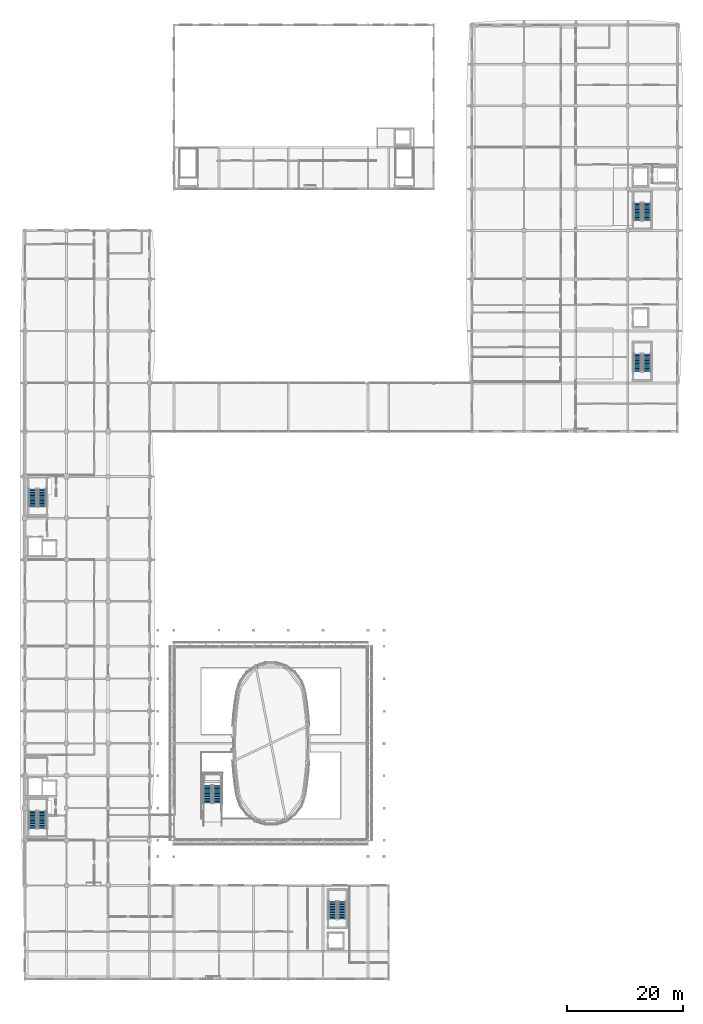
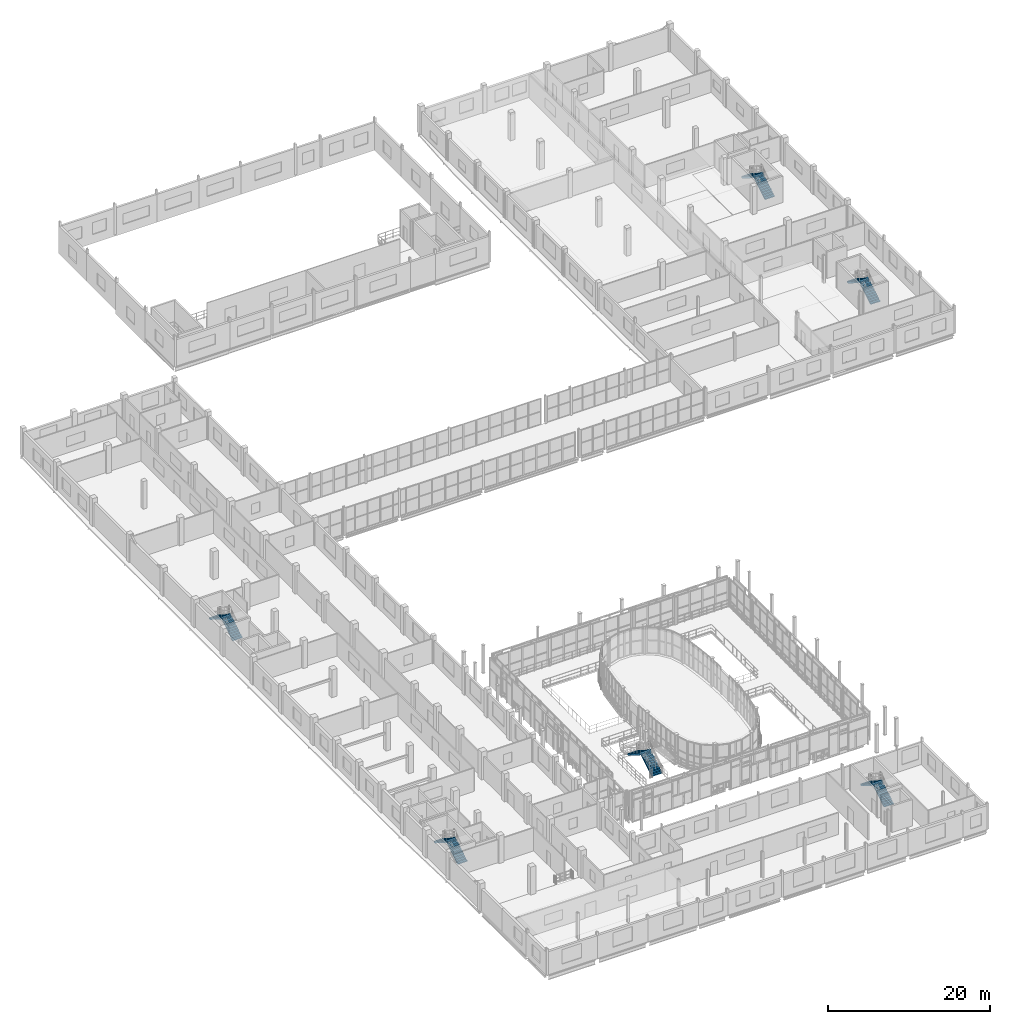
# One storey, part 105 of 121: 12 stair flights, 6 elements without a shape of their own.
"""IFC4 building model written with IfcOpenShell, lengths in metres."""

from ifc_helpers import new_model, si_unit, direction, frame, origin, place, context, subcontext, project, spatial, polyline, outline, extrude, material, type_object, element, aggregate, save


model = new_model("IFC4")

# Units and contexts
model_context = context("Model", 3, precision=1e-05, world=origin(), true_north=direction((0.0, 1.0)))
body_context = subcontext(model_context, "Body", "Model", "MODEL_VIEW")
ifc_project = project(units=[si_unit("LENGTHUNIT", "METRE"), si_unit("AREAUNIT", "SQUARE_METRE"), si_unit("VOLUMEUNIT", "CUBIC_METRE"), si_unit("PLANEANGLEUNIT", "RADIAN"), si_unit("MASSUNIT", "GRAM", prefix="KILO")], contexts=[model_context])

# Site, building, storey
site_placement = place(None, origin())
site = spatial("IfcSite", under=ifc_project, at=site_placement, CompositionType="ELEMENT")
building_placement = place(site_placement, origin())
building = spatial("IfcBuilding", under=site, at=building_placement, Name="Vinh Khe Railworks Police Headquarters", CompositionType="ELEMENT")
storey_placement = place(building_placement, frame((0.0, 0.0, 4.800048828125)))
storey = spatial("IfcBuildingStorey", under=building, at=storey_placement, Name="L01", CompositionType="ELEMENT", Elevation=4.800048828125)

# Stair, stair flights
ifc_material_1 = material(Name="Precast concrete C40/50 (B40)", Category="concrete")
stair_type_1 = type_object("IfcStairType", Name="ST-CORE-DOGLEG", PredefinedType="HALF_TURN_STAIR", material=ifc_material_1)
stair_1_placement = place(storey_placement, origin())
stair_1 = element("IfcStair", 1, at=stair_1_placement, inside=storey, type_object=stair_type_1, Name="L01 Escape Stair ST-01", PredefinedType="HALF_TURN_STAIR")
stair_flight_type_1 = type_object("IfcStairFlightType", Name="STF-PRECAST-1350", PredefinedType="STRAIGHT", material=ifc_material_1)
stair_flight_1_placement = place(storey_placement, frame((3.625, 27.25, 0.0), z_axis=(0.0, 0.0, 1.0), x_axis=(0.0, 1.0, 0.0)))
stair_flight_1 = element("IfcStairFlight", 2, at=stair_flight_1_placement, type_object=stair_flight_type_1, Name="ST-01 flight 1", NumberOfRisers=12, NumberOfTreads=11, PredefinedType="STRAIGHT", RiserHeight=0.175, TreadLength=0.28, context=body_context, shape_type="SweptSolid", body=[
    extrude(outline(polyline([(0.0, 0.0), (0.0, 0.175048828125), (0.280029296875, 0.175048828125), (0.280029296875, 0.35009765625), (0.56005859375, 0.35009765625), (0.56005859375, 0.52490234375), (0.840087890625, 0.52490234375), (0.840087890625, 0.699951171875), (1.1201171875, 0.699951171875), (1.1201171875, 0.875), (1.39990234375, 0.875), (1.39990234375, 1.050048828125), (1.679931640625, 1.050048828125), (1.679931640625, 1.22509765625), (1.9599609375, 1.22509765625), (1.9599609375, 1.39990234375), (2.239990234375, 1.39990234375), (2.239990234375, 1.574951171875), (2.52001953125, 1.574951171875), (2.52001953125, 1.75), (2.800048828125, 1.75), (2.800048828125, 1.925048828125), (3.080078125, 1.925048828125), (3.080078125, 2.10009765625), (3.080078125, 1.748291015625), (0.28271484375, 0.0), (0.0, 0.0)])), frame((0.0, 0.675048828125, 0.0), z_axis=(0.0, -1.0, 0.0), x_axis=(1.0, 0.0, 0.0)), (0.0, 0.0, 1.0), 1.35009765625),
])
stair_flight_2_placement = place(storey_placement, frame((1.97509765625, 30.330078125, 2.099853515625), z_axis=(0.0, 0.0, 1.0), x_axis=(0.0, -1.0, 0.0)))
stair_flight_2 = element("IfcStairFlight", 3, at=stair_flight_2_placement, type_object=stair_flight_type_1, Name="ST-01 flight 2", NumberOfRisers=12, NumberOfTreads=11, PredefinedType="STRAIGHT", RiserHeight=0.175, TreadLength=0.28, context=body_context, shape_type="SweptSolid", body=[
    extrude(outline(polyline([(0.0, 0.0), (0.0, 0.175048828125), (0.280029296875, 0.175048828125), (0.280029296875, 0.35009765625), (0.56005859375, 0.35009765625), (0.56005859375, 0.52490234375), (0.840087890625, 0.52490234375), (0.840087890625, 0.699951171875), (1.1201171875, 0.699951171875), (1.1201171875, 0.875), (1.39990234375, 0.875), (1.39990234375, 1.050048828125), (1.679931640625, 1.050048828125), (1.679931640625, 1.22509765625), (1.9599609375, 1.22509765625), (1.9599609375, 1.39990234375), (2.239990234375, 1.39990234375), (2.239990234375, 1.574951171875), (2.52001953125, 1.574951171875), (2.52001953125, 1.75), (2.800048828125, 1.75), (2.800048828125, 1.925048828125), (3.080078125, 1.925048828125), (3.080078125, 2.10009765625), (3.080078125, 1.748291015625), (0.28271484375, 0.0), (0.0, 0.0)])), frame((0.0, 0.675048828125, 0.0), z_axis=(0.0, -1.0, 0.0), x_axis=(1.0, 0.0, 0.0)), (0.0, 0.0, 1.0), 1.35009765625),
])
aggregate(stair_1, [stair_flight_1, stair_flight_2])

stair_2_placement = place(storey_placement, origin())
stair_2 = element("IfcStair", 4, at=stair_2_placement, inside=storey, type_object=stair_type_1, Name="L01 Escape Stair ST-02", PredefinedType="HALF_TURN_STAIR")
stair_flight_3_placement = place(storey_placement, frame((3.625, 82.949951171875, 0.0), z_axis=(0.0, 0.0, 1.0), x_axis=(0.0, 1.0, 0.0)))
stair_flight_3 = element("IfcStairFlight", 5, at=stair_flight_3_placement, type_object=stair_flight_type_1, Name="ST-02 flight 1", NumberOfRisers=12, NumberOfTreads=11, PredefinedType="STRAIGHT", RiserHeight=0.175, TreadLength=0.28, context=body_context, shape_type="SweptSolid", body=[
    extrude(outline(polyline([(0.0, 0.0), (0.0, 0.175048828125), (0.280029296875, 0.175048828125), (0.280029296875, 0.35009765625), (0.56005859375, 0.35009765625), (0.56005859375, 0.52490234375), (0.840087890625, 0.52490234375), (0.840087890625, 0.699951171875), (1.1201171875, 0.699951171875), (1.1201171875, 0.875), (1.39990234375, 0.875), (1.39990234375, 1.050048828125), (1.679931640625, 1.050048828125), (1.679931640625, 1.22509765625), (1.9599609375, 1.22509765625), (1.9599609375, 1.39990234375), (2.239990234375, 1.39990234375), (2.239990234375, 1.574951171875), (2.52001953125, 1.574951171875), (2.52001953125, 1.75), (2.800048828125, 1.75), (2.800048828125, 1.925048828125), (3.080078125, 1.925048828125), (3.080078125, 2.10009765625), (3.080078125, 1.748291015625), (0.28271484375, 0.0), (0.0, 0.0)])), frame((0.0, 0.675048828125, 0.0), z_axis=(0.0, -1.0, 0.0), x_axis=(1.0, 0.0, 0.0)), (0.0, 0.0, 1.0), 1.35009765625),
])
stair_flight_4_placement = place(storey_placement, frame((1.97509765625, 86.030029296875, 2.099853515625), z_axis=(0.0, 0.0, 1.0), x_axis=(0.0, -1.0, 0.0)))
stair_flight_4 = element("IfcStairFlight", 6, at=stair_flight_4_placement, type_object=stair_flight_type_1, Name="ST-02 flight 2", NumberOfRisers=12, NumberOfTreads=11, PredefinedType="STRAIGHT", RiserHeight=0.175, TreadLength=0.28, context=body_context, shape_type="SweptSolid", body=[
    extrude(outline(polyline([(0.0, 0.0), (0.0, 0.175048828125), (0.280029296875, 0.175048828125), (0.280029296875, 0.35009765625), (0.56005859375, 0.35009765625), (0.56005859375, 0.52490234375), (0.840087890625, 0.52490234375), (0.840087890625, 0.699951171875), (1.1201171875, 0.699951171875), (1.1201171875, 0.875), (1.39990234375, 0.875), (1.39990234375, 1.050048828125), (1.679931640625, 1.050048828125), (1.679931640625, 1.22509765625), (1.9599609375, 1.22509765625), (1.9599609375, 1.39990234375), (2.239990234375, 1.39990234375), (2.239990234375, 1.574951171875), (2.52001953125, 1.574951171875), (2.52001953125, 1.75), (2.800048828125, 1.75), (2.800048828125, 1.925048828125), (3.080078125, 1.925048828125), (3.080078125, 2.10009765625), (3.080078125, 1.748291015625), (0.28271484375, 0.0), (0.0, 0.0)])), frame((0.0, 0.675048828125, 0.0), z_axis=(0.0, -1.0, 0.0), x_axis=(1.0, 0.0, 0.0)), (0.0, 0.0, 1.0), 1.35009765625),
])
aggregate(stair_2, [stair_flight_3, stair_flight_4])

stair_3_placement = place(storey_placement, origin())
stair_3 = element("IfcStair", 7, at=stair_3_placement, inside=storey, type_object=stair_type_1, Name="L01 Escape Stair ST-03", PredefinedType="HALF_TURN_STAIR")
stair_flight_5_placement = place(storey_placement, frame((108.324951171875, 132.5, 0.0), z_axis=(0.0, 0.0, 1.0), x_axis=(0.0, 1.0, 0.0)))
stair_flight_5 = element("IfcStairFlight", 8, at=stair_flight_5_placement, type_object=stair_flight_type_1, Name="ST-03 flight 1", NumberOfRisers=12, NumberOfTreads=11, PredefinedType="STRAIGHT", RiserHeight=0.175, TreadLength=0.28, context=body_context, shape_type="SweptSolid", body=[
    extrude(outline(polyline([(0.0, 0.0), (0.0, 0.175048828125), (0.280029296875, 0.175048828125), (0.280029296875, 0.35009765625), (0.56005859375, 0.35009765625), (0.56005859375, 0.52490234375), (0.840087890625, 0.52490234375), (0.840087890625, 0.699951171875), (1.1201171875, 0.699951171875), (1.1201171875, 0.875), (1.39990234375, 0.875), (1.39990234375, 1.050048828125), (1.679931640625, 1.050048828125), (1.679931640625, 1.22509765625), (1.9599609375, 1.22509765625), (1.9599609375, 1.39990234375), (2.239990234375, 1.39990234375), (2.239990234375, 1.574951171875), (2.52001953125, 1.574951171875), (2.52001953125, 1.75), (2.800048828125, 1.75), (2.800048828125, 1.925048828125), (3.080078125, 1.925048828125), (3.080078125, 2.10009765625), (3.080078125, 1.748291015625), (0.28271484375, 0.0), (0.0, 0.0)])), frame((0.0, 0.675048828125, 0.0), z_axis=(0.0, -1.0, 0.0), x_axis=(1.0, 0.0, 0.0)), (0.0, 0.0, 1.0), 1.35009765625),
])
stair_flight_6_placement = place(storey_placement, frame((106.675048828125, 135.580078125, 2.099853515625), z_axis=(0.0, 0.0, 1.0), x_axis=(0.0, -1.0, 0.0)))
stair_flight_6 = element("IfcStairFlight", 9, at=stair_flight_6_placement, type_object=stair_flight_type_1, Name="ST-03 flight 2", NumberOfRisers=12, NumberOfTreads=11, PredefinedType="STRAIGHT", RiserHeight=0.175, TreadLength=0.28, context=body_context, shape_type="SweptSolid", body=[
    extrude(outline(polyline([(0.0, 0.0), (0.0, 0.175048828125), (0.280029296875, 0.175048828125), (0.280029296875, 0.35009765625), (0.56005859375, 0.35009765625), (0.56005859375, 0.52490234375), (0.840087890625, 0.52490234375), (0.840087890625, 0.699951171875), (1.1201171875, 0.699951171875), (1.1201171875, 0.875), (1.39990234375, 0.875), (1.39990234375, 1.050048828125), (1.679931640625, 1.050048828125), (1.679931640625, 1.22509765625), (1.9599609375, 1.22509765625), (1.9599609375, 1.39990234375), (2.239990234375, 1.39990234375), (2.239990234375, 1.574951171875), (2.52001953125, 1.574951171875), (2.52001953125, 1.75), (2.800048828125, 1.75), (2.800048828125, 1.925048828125), (3.080078125, 1.925048828125), (3.080078125, 2.10009765625), (3.080078125, 1.748291015625), (0.28271484375, 0.0), (0.0, 0.0)])), frame((0.0, 0.675048828125, 0.0), z_axis=(0.0, -1.0, 0.0), x_axis=(1.0, 0.0, 0.0)), (0.0, 0.0, 1.0), 1.35009765625),
])
aggregate(stair_3, [stair_flight_5, stair_flight_6])

stair_4_placement = place(storey_placement, origin())
stair_4 = element("IfcStair", 10, at=stair_4_placement, inside=storey, type_object=stair_type_1, Name="L01 Escape Stair ST-04", PredefinedType="HALF_TURN_STAIR")
stair_flight_7_placement = place(storey_placement, frame((108.324951171875, 106.35009765625, 0.0), z_axis=(0.0, 0.0, 1.0), x_axis=(0.0, 1.0, 0.0)))
stair_flight_7 = element("IfcStairFlight", 11, at=stair_flight_7_placement, type_object=stair_flight_type_1, Name="ST-04 flight 1", NumberOfRisers=12, NumberOfTreads=11, PredefinedType="STRAIGHT", RiserHeight=0.175, TreadLength=0.28, context=body_context, shape_type="SweptSolid", body=[
    extrude(outline(polyline([(0.0, 0.0), (0.0, 0.175048828125), (0.280029296875, 0.175048828125), (0.280029296875, 0.35009765625), (0.56005859375, 0.35009765625), (0.56005859375, 0.52490234375), (0.840087890625, 0.52490234375), (0.840087890625, 0.699951171875), (1.1201171875, 0.699951171875), (1.1201171875, 0.875), (1.39990234375, 0.875), (1.39990234375, 1.050048828125), (1.679931640625, 1.050048828125), (1.679931640625, 1.22509765625), (1.9599609375, 1.22509765625), (1.9599609375, 1.39990234375), (2.239990234375, 1.39990234375), (2.239990234375, 1.574951171875), (2.52001953125, 1.574951171875), (2.52001953125, 1.75), (2.800048828125, 1.75), (2.800048828125, 1.925048828125), (3.080078125, 1.925048828125), (3.080078125, 2.10009765625), (3.080078125, 1.748291015625), (0.28271484375, 0.0), (0.0, 0.0)])), frame((0.0, 0.675048828125, 0.0), z_axis=(0.0, -1.0, 0.0), x_axis=(1.0, 0.0, 0.0)), (0.0, 0.0, 1.0), 1.35009765625),
])
stair_flight_8_placement = place(storey_placement, frame((106.675048828125, 109.429931640625, 2.099853515625), z_axis=(0.0, 0.0, 1.0), x_axis=(0.0, -1.0, 0.0)))
stair_flight_8 = element("IfcStairFlight", 12, at=stair_flight_8_placement, type_object=stair_flight_type_1, Name="ST-04 flight 2", NumberOfRisers=12, NumberOfTreads=11, PredefinedType="STRAIGHT", RiserHeight=0.175, TreadLength=0.28, context=body_context, shape_type="SweptSolid", body=[
    extrude(outline(polyline([(0.0, 0.0), (0.0, 0.175048828125), (0.280029296875, 0.175048828125), (0.280029296875, 0.35009765625), (0.56005859375, 0.35009765625), (0.56005859375, 0.52490234375), (0.840087890625, 0.52490234375), (0.840087890625, 0.699951171875), (1.1201171875, 0.699951171875), (1.1201171875, 0.875), (1.39990234375, 0.875), (1.39990234375, 1.050048828125), (1.679931640625, 1.050048828125), (1.679931640625, 1.22509765625), (1.9599609375, 1.22509765625), (1.9599609375, 1.39990234375), (2.239990234375, 1.39990234375), (2.239990234375, 1.574951171875), (2.52001953125, 1.574951171875), (2.52001953125, 1.75), (2.800048828125, 1.75), (2.800048828125, 1.925048828125), (3.080078125, 1.925048828125), (3.080078125, 2.10009765625), (3.080078125, 1.748291015625), (0.28271484375, 0.0), (0.0, 0.0)])), frame((0.0, 0.675048828125, 0.0), z_axis=(0.0, -1.0, 0.0), x_axis=(1.0, 0.0, 0.0)), (0.0, 0.0, 1.0), 1.35009765625),
])
aggregate(stair_4, [stair_flight_7, stair_flight_8])

stair_5_placement = place(storey_placement, origin())
stair_5 = element("IfcStair", 13, at=stair_5_placement, inside=storey, type_object=stair_type_1, Name="L01 Escape Stair ST-05", PredefinedType="HALF_TURN_STAIR")
stair_flight_9_placement = place(storey_placement, frame((55.52490234375, 11.550048828125, 0.0), z_axis=(0.0, 0.0, 1.0), x_axis=(0.0, 1.0, 0.0)))
stair_flight_9 = element("IfcStairFlight", 14, at=stair_flight_9_placement, type_object=stair_flight_type_1, Name="ST-05 flight 1", NumberOfRisers=12, NumberOfTreads=11, PredefinedType="STRAIGHT", RiserHeight=0.175, TreadLength=0.28, context=body_context, shape_type="SweptSolid", body=[
    extrude(outline(polyline([(0.0, 0.0), (0.0, 0.175048828125), (0.280029296875, 0.175048828125), (0.280029296875, 0.35009765625), (0.56005859375, 0.35009765625), (0.56005859375, 0.52490234375), (0.840087890625, 0.52490234375), (0.840087890625, 0.699951171875), (1.1201171875, 0.699951171875), (1.1201171875, 0.875), (1.39990234375, 0.875), (1.39990234375, 1.050048828125), (1.679931640625, 1.050048828125), (1.679931640625, 1.22509765625), (1.9599609375, 1.22509765625), (1.9599609375, 1.39990234375), (2.239990234375, 1.39990234375), (2.239990234375, 1.574951171875), (2.52001953125, 1.574951171875), (2.52001953125, 1.75), (2.800048828125, 1.75), (2.800048828125, 1.925048828125), (3.080078125, 1.925048828125), (3.080078125, 2.10009765625), (3.080078125, 1.748291015625), (0.28271484375, 0.0), (0.0, 0.0)])), frame((0.0, 0.675048828125, 0.0), z_axis=(0.0, -1.0, 0.0), x_axis=(1.0, 0.0, 0.0)), (0.0, 0.0, 1.0), 1.35009765625),
])
stair_flight_10_placement = place(storey_placement, frame((53.875, 14.6298828125, 2.099853515625), z_axis=(0.0, 0.0, 1.0), x_axis=(0.0, -1.0, 0.0)))
stair_flight_10 = element("IfcStairFlight", 15, at=stair_flight_10_placement, type_object=stair_flight_type_1, Name="ST-05 flight 2", NumberOfRisers=12, NumberOfTreads=11, PredefinedType="STRAIGHT", RiserHeight=0.175, TreadLength=0.28, context=body_context, shape_type="SweptSolid", body=[
    extrude(outline(polyline([(0.0, 0.0), (0.0, 0.175048828125), (0.280029296875, 0.175048828125), (0.280029296875, 0.35009765625), (0.56005859375, 0.35009765625), (0.56005859375, 0.52490234375), (0.840087890625, 0.52490234375), (0.840087890625, 0.699951171875), (1.1201171875, 0.699951171875), (1.1201171875, 0.875), (1.39990234375, 0.875), (1.39990234375, 1.050048828125), (1.679931640625, 1.050048828125), (1.679931640625, 1.22509765625), (1.9599609375, 1.22509765625), (1.9599609375, 1.39990234375), (2.239990234375, 1.39990234375), (2.239990234375, 1.574951171875), (2.52001953125, 1.574951171875), (2.52001953125, 1.75), (2.800048828125, 1.75), (2.800048828125, 1.925048828125), (3.080078125, 1.925048828125), (3.080078125, 2.10009765625), (3.080078125, 1.748291015625), (0.28271484375, 0.0), (0.0, 0.0)])), frame((0.0, 0.675048828125, 0.0), z_axis=(0.0, -1.0, 0.0), x_axis=(1.0, 0.0, 0.0)), (0.0, 0.0, 1.0), 1.35009765625),
])
aggregate(stair_5, [stair_flight_9, stair_flight_10])

ifc_material_2 = material(Name="Steel S355JR", Category="steel")
stair_type_2 = type_object("IfcStairType", Name="ST-HALL-FEATURE", PredefinedType="HALF_TURN_STAIR", material=ifc_material_2)
stair_6_placement = place(storey_placement, origin())
stair_6 = element("IfcStair", 16, at=stair_6_placement, inside=storey, type_object=stair_type_2, Name="L01 Concourse Feature Stair ST-08", PredefinedType="HALF_TURN_STAIR")
stair_flight_type_2 = type_object("IfcStairFlightType", Name="STF-STEEL-1450", PredefinedType="STRAIGHT", material=ifc_material_2)
stair_flight_11_placement = place(storey_placement, frame((33.97509765625, 31.64990234375, 0.0), z_axis=(0.0, 0.0, 1.0), x_axis=(0.0, 1.0, 0.0)))
stair_flight_11 = element("IfcStairFlight", 17, at=stair_flight_11_placement, type_object=stair_flight_type_2, Name="ST-08 flight 1", NumberOfRisers=12, NumberOfTreads=11, PredefinedType="STRAIGHT", RiserHeight=0.175, TreadLength=0.28, context=body_context, shape_type="SweptSolid", body=[
    extrude(outline(polyline([(0.0, 0.0), (0.0, 0.175048828125), (0.280029296875, 0.175048828125), (0.280029296875, 0.35009765625), (0.56005859375, 0.35009765625), (0.56005859375, 0.52490234375), (0.840087890625, 0.52490234375), (0.840087890625, 0.699951171875), (1.1201171875, 0.699951171875), (1.1201171875, 0.875), (1.39990234375, 0.875), (1.39990234375, 1.050048828125), (1.679931640625, 1.050048828125), (1.679931640625, 1.22509765625), (1.9599609375, 1.22509765625), (1.9599609375, 1.39990234375), (2.239990234375, 1.39990234375), (2.239990234375, 1.574951171875), (2.52001953125, 1.574951171875), (2.52001953125, 1.75), (2.800048828125, 1.75), (2.800048828125, 1.925048828125), (3.080078125, 1.925048828125), (3.080078125, 2.10009765625), (3.080078125, 1.748291015625), (0.28271484375, 0.0), (0.0, 0.0)])), frame((0.0, 0.72509765625, 0.0), z_axis=(0.0, -1.0, 0.0), x_axis=(1.0, 0.0, 0.0)), (0.0, 0.0, 1.0), 1.449951171875),
])
stair_flight_12_placement = place(storey_placement, frame((32.22509765625, 34.72998046875, 2.099853515625), z_axis=(0.0, 0.0, 1.0), x_axis=(0.0, -1.0, 0.0)))
stair_flight_12 = element("IfcStairFlight", 18, at=stair_flight_12_placement, type_object=stair_flight_type_2, Name="ST-08 flight 2", NumberOfRisers=12, NumberOfTreads=11, PredefinedType="STRAIGHT", RiserHeight=0.175, TreadLength=0.28, context=body_context, shape_type="SweptSolid", body=[
    extrude(outline(polyline([(0.0, 0.0), (0.0, 0.175048828125), (0.280029296875, 0.175048828125), (0.280029296875, 0.35009765625), (0.56005859375, 0.35009765625), (0.56005859375, 0.52490234375), (0.840087890625, 0.52490234375), (0.840087890625, 0.699951171875), (1.1201171875, 0.699951171875), (1.1201171875, 0.875), (1.39990234375, 0.875), (1.39990234375, 1.050048828125), (1.679931640625, 1.050048828125), (1.679931640625, 1.22509765625), (1.9599609375, 1.22509765625), (1.9599609375, 1.39990234375), (2.239990234375, 1.39990234375), (2.239990234375, 1.574951171875), (2.52001953125, 1.574951171875), (2.52001953125, 1.75), (2.800048828125, 1.75), (2.800048828125, 1.925048828125), (3.080078125, 1.925048828125), (3.080078125, 2.10009765625), (3.080078125, 1.748291015625), (0.28271484375, 0.0), (0.0, 0.0)])), frame((0.0, 0.72509765625, 0.0), z_axis=(0.0, -1.0, 0.0), x_axis=(1.0, 0.0, 0.0)), (0.0, 0.0, 1.0), 1.449951171875),
])
aggregate(stair_6, [stair_flight_11, stair_flight_12])

save(model, "model.ifc")
